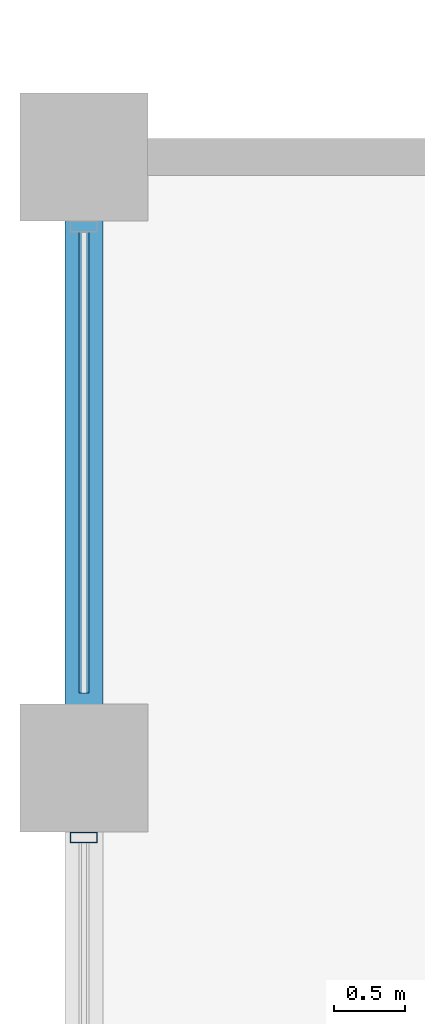
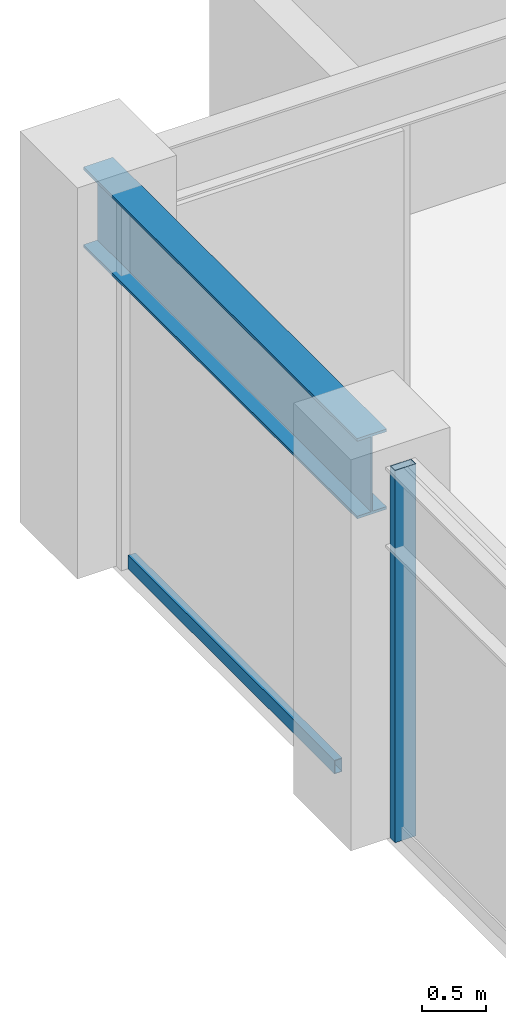
# One storey, part 16 of 32: 2 members, 1 beam, 1 element without a shape of its own.
"""IFC4 building model written with IfcOpenShell, lengths in metres."""

from ifc_helpers import new_model, si_unit, direction, frame, origin, origin_2d, place, context, subcontext, project, spatial, hollow_rectangle, i_section, extrude, material, layer, layer_set, material_profile, profile_set, type_object, element, aggregate, save


model = new_model("IFC4")

# Units and contexts
model_context = context("Model", 3, precision=1e-05, world=origin(), true_north=direction((0.0, 1.0)))
body_context = subcontext(model_context, "Body", "Model", "MODEL_VIEW")
ifc_project = project(units=[si_unit("LENGTHUNIT", "METRE"), si_unit("AREAUNIT", "SQUARE_METRE"), si_unit("VOLUMEUNIT", "CUBIC_METRE"), si_unit("PLANEANGLEUNIT", "RADIAN"), si_unit("MASSUNIT", "GRAM", prefix="KILO")], contexts=[model_context])

# Site, building, storey
site_placement = place(None, origin())
site = spatial("IfcSite", under=ifc_project, at=site_placement, CompositionType="ELEMENT")
building_placement = place(site_placement, origin())
building = spatial("IfcBuilding", under=site, at=building_placement, Name="Surkhivell Harbour Commons", CompositionType="ELEMENT")
storey_placement = place(building_placement, frame((0.0, 0.0, 204.75)))
storey = spatial("IfcBuildingStorey", under=building, at=storey_placement, Name="L53", CompositionType="ELEMENT", Elevation=204.75)

# Beam
ifc_material_1 = material(Name="Steel S355", Category="steel")
ifc_material_profile_1 = material_profile(ifc_material_1, i_section(OverallWidth=0.26806640625, OverallDepth=0.77001953125, WebThickness=0.015625, FlangeThickness=0.025390625, at=origin_2d()), Name="UB762x267x197")
ifc_profile_set_1 = profile_set([ifc_material_profile_1], Name="Steel S355")
beam_type = type_object("IfcBeamType", Name="BM-SPN-762", PredefinedType="SPANDREL", material=ifc_profile_set_1)
beam_placement = place(storey_placement, frame((-27.0, 16.199951171875, 3.18505859375), z_axis=(0.0, 1.0, 0.0), x_axis=(-1.0, 0.0, 0.0)))
element("IfcBeam", 1, at=beam_placement, inside=storey, type_object=beam_type, Name="L53 Tube Spandrel (-27.0,16.2)", PredefinedType="SPANDREL", context=body_context, shape_type="SweptSolid", body=[
    extrude(i_section(OverallWidth=0.26806640625, OverallDepth=0.77001953125, WebThickness=0.015625, FlangeThickness=0.025390625, at=origin_2d()), origin(), (0.0, 0.0, 1.0), 4.300048828125),
])

# Curtain wall, members
ifc_material_2 = material(Name="Anodised pale-metal aluminium and insulated glazing", Category="aluminium")
ifc_layer = layer(ifc_material_2, 0.18994140625)
ifc_layer_set = layer_set([ifc_layer], Name="Anodised pale-metal aluminium and insulated glazing")
curtain_wall_type = type_object("IfcCurtainWallType", Name="CW-SYS-Z3", PredefinedType="NOTDEFINED", material=ifc_layer_set)
curtain_wall_placement = place(storey_placement, origin())
curtain_wall = element("IfcCurtainWall", 2, at=curtain_wall_placement, inside=storey, type_object=curtain_wall_type, Name="L53 Curtain Wall CW-L53-E12S1", PredefinedType="NOTDEFINED")
ifc_material_3 = material(Name="Anodised pale-metal aluminium alloy 6063-T6", Category="aluminium")
ifc_material_profile_2 = material_profile(ifc_material_3, hollow_rectangle(XDim=0.074951171875, YDim=0.18994140625, WallThickness=0.00390625, at=origin_2d()), Name="ALU-MULL-75x190")
ifc_profile_set_2 = profile_set([ifc_material_profile_2], Name="Anodised pale-metal aluminium alloy 6063-T6")
member_type_1 = type_object("IfcMemberType", Name="CWM-190", PredefinedType="MULLION", material=ifc_profile_set_2)
member_1_placement = place(storey_placement, frame((-27.0, 15.71044921875, 0.0), z_axis=(0.0, 0.0, 1.0), x_axis=(0.0, -1.0, 0.0)))
member_1 = element("IfcMember", 3, at=member_1_placement, type_object=member_type_1, Name="CW-Z3 mullion 2", PredefinedType="MULLION", context=body_context, shape_type="SweptSolid", body=[
    extrude(hollow_rectangle(XDim=0.074951171875, YDim=0.18994140625, WallThickness=0.00390625, at=origin_2d()), origin(), (0.0, 0.0, 1.0), 3.570068359375),
])
ifc_material_4 = material(Name="Champagne anodised aluminium alloy 6063-T6", Category="aluminium")
ifc_material_profile_3 = material_profile(ifc_material_4, hollow_rectangle(XDim=0.070068359375, YDim=0.1298828125, WallThickness=0.00341796875, at=origin_2d()), Name="ALU-TRAN-70x130")
ifc_profile_set_3 = profile_set([ifc_material_profile_3], Name="Champagne anodised aluminium alloy 6063-T6")
member_type_2 = type_object("IfcMemberType", Name="CWT-130", PredefinedType="USERDEFINED", material=ifc_profile_set_3)
member_2_placement = place(storey_placement, frame((-27.0, 19.972900390625, 0.06494140625), z_axis=(0.0, -1.0, 0.0), x_axis=(1.0, 0.0, 0.0)))
member_2 = element("IfcMember", 4, at=member_2_placement, type_object=member_type_2, Name="CW-Z3 transom 1.1", ObjectType="TRANSOM", PredefinedType="USERDEFINED", context=body_context, shape_type="SweptSolid", body=[
    extrude(hollow_rectangle(XDim=0.070068359375, YDim=0.1298828125, WallThickness=0.00341796875, at=origin_2d()), origin(), (0.0, 0.0, 1.0), 3.245849609375),
])
aggregate(curtain_wall, [member_2, member_1])

save(model, "model.ifc")
